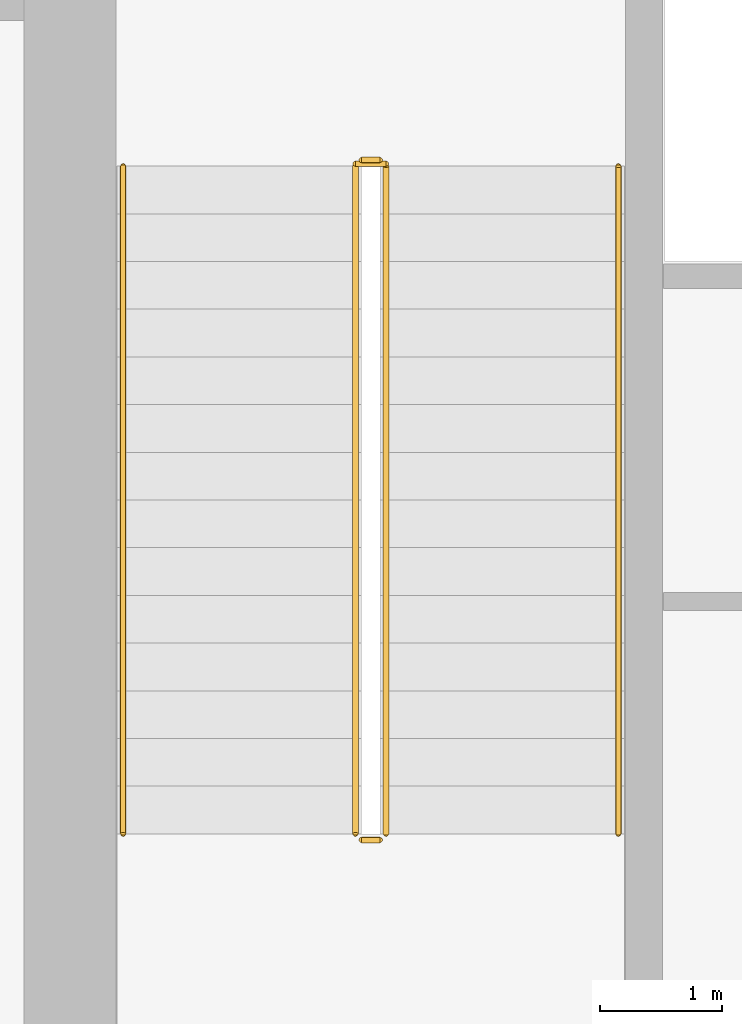
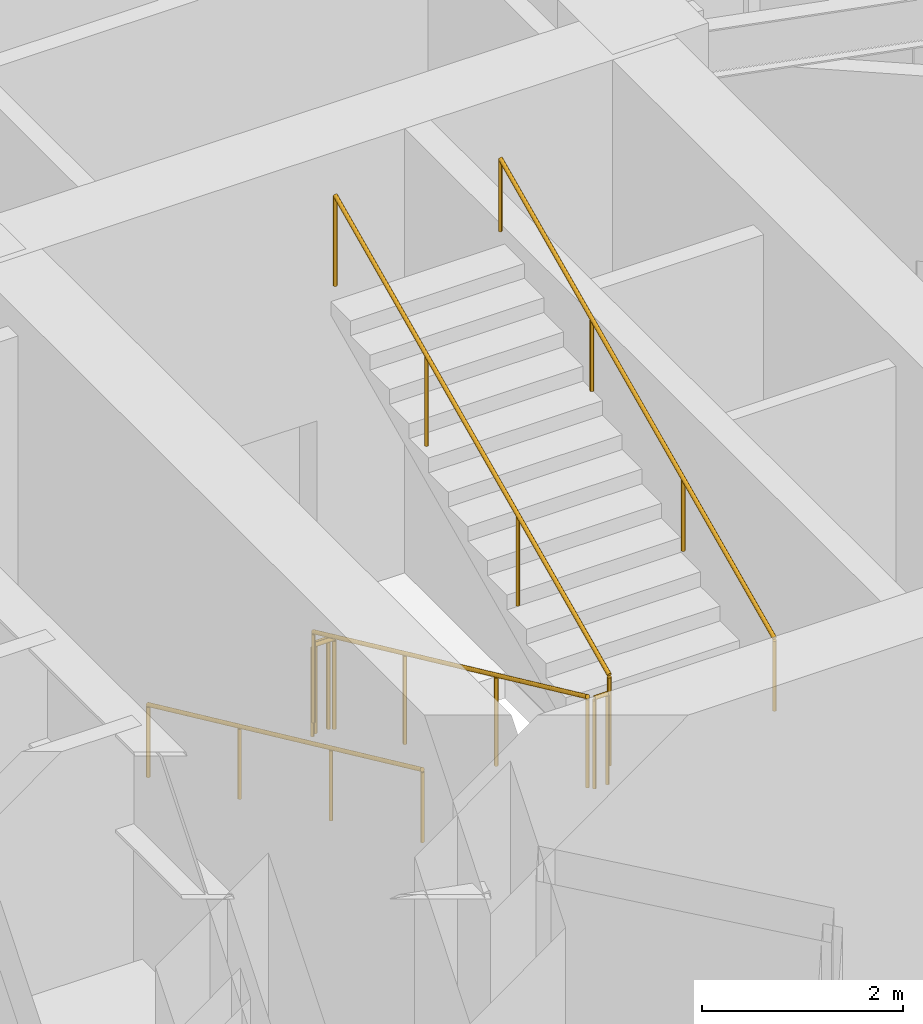
# One storey, part 10 of 13: 7 railings.
"""IFC4 building model written with IfcOpenShell, lengths in metres."""

import ifcopenshell
import ifcopenshell.guid

model = None  # the IFC model being written
_history = None  # IfcOwnerHistory: only IFC2X3 demands one
_inside = {}  # id of a spatial element -> (the spatial element, [elements in it])
_under = {}  # id of a project, library or spatial element -> (it, [spatial elements below it])
_declared = {}  # id of a project -> (the project, [libraries it declares])
_typed = {}  # id of a type object -> (the type object, [elements of that type])
_made_of = {}  # id of a material, layer set ... -> (it, [elements and type objects made of it])


def new_model(schema):
    """Start an empty IFC model of exactly this schema.

    Asked for "IFC4X3", IfcOpenShell would pick the latest addendum, in which some entities
    have other attributes; the version numbers below select the first issue.
    IFC2X3 requires an IfcOwnerHistory on every rooted entity: one is made here for all.
    """
    global model, _history
    if schema == "IFC4X3":
        model = ifcopenshell.file(schema_version=(4, 3, 0, 0))
    else:
        model = ifcopenshell.file(schema=schema)
    _inside.clear()
    _under.clear()
    _declared.clear()
    _typed.clear()
    _made_of.clear()
    _history = None
    if model.schema == "IFC2X3":
        org = make("IfcOrganization", Name="unknown")
        user = make(
            "IfcPersonAndOrganization",
            ThePerson=make("IfcPerson", FamilyName="unknown"),
            TheOrganization=org,
        )
        app = make(
            "IfcApplication",
            ApplicationDeveloper=org,
            Version="unknown",
            ApplicationFullName="unknown",
            ApplicationIdentifier="unknown",
        )
        _history = make(
            "IfcOwnerHistory",
            OwningUser=user,
            OwningApplication=app,
            ChangeAction="ADDED",
            CreationDate=0,
        )
    return model


def make(cls, **values):
    """One entity of the class cls with the attributes given. An attribute that is None is left unset."""
    return model.create_entity(
        cls, **{name: value for name, value in values.items() if value is not None}
    )


def rooted(cls, **values):
    """An entity with a GlobalId (a new one), such as an element, a storey or a relation."""
    return make(cls, GlobalId=ifcopenshell.guid.new(), OwnerHistory=_history, **values)


def si_unit(unit_type, name, prefix=None):
    """IfcSIUnit, for example si_unit("LENGTHUNIT", "METRE", prefix="MILLI")."""
    return make("IfcSIUnit", UnitType=unit_type, Prefix=prefix, Name=name)


def assignment(units):
    """IfcUnitAssignment: the units of a project."""
    return None if units is None else make("IfcUnitAssignment", Units=units)


def point(xyz):
    """IfcCartesianPoint."""
    return None if xyz is None else make("IfcCartesianPoint", Coordinates=xyz)


def direction(xyz):
    """IfcDirection."""
    return None if xyz is None else make("IfcDirection", DirectionRatios=xyz)


def frame(location, z_axis=None, x_axis=None):
    """IfcAxis2Placement3D, a coordinate frame: its origin and axes. An axis left out is left unset."""
    return make(
        "IfcAxis2Placement3D",
        Location=point(location),
        Axis=direction(z_axis),
        RefDirection=direction(x_axis),
    )


def frame_2d(location, x_axis=None):
    """IfcAxis2Placement2D, a coordinate frame in the plane: its origin and x axis."""
    return make(
        "IfcAxis2Placement2D", Location=point(location), RefDirection=direction(x_axis)
    )


def origin():
    """The frame at (0, 0, 0) with its axes left unset."""
    return frame((0.0, 0.0, 0.0))


def origin_2d():
    """The frame at (0, 0) in the plane with its x axis left unset."""
    return frame_2d((0.0, 0.0))


def place(relative_to, where):
    """IfcLocalPlacement: puts the frame where relative to a parent placement (None: the world)."""
    return make(
        "IfcLocalPlacement", PlacementRelTo=relative_to, RelativePlacement=where
    )


def context(
    kind, dimensions, precision=None, world=None, true_north=None, identifier=None
):
    """IfcGeometricRepresentationContext, for example the 3D "Model" context."""
    return make(
        "IfcGeometricRepresentationContext",
        ContextIdentifier=identifier,
        ContextType=kind,
        CoordinateSpaceDimension=dimensions,
        Precision=precision,
        WorldCoordinateSystem=world,
        TrueNorth=true_north,
    )


def subcontext(parent, identifier, kind, view, scale=None):
    """IfcGeometricRepresentationSubContext, for example "Body" below "Model"."""
    return make(
        "IfcGeometricRepresentationSubContext",
        ContextIdentifier=identifier,
        ContextType=kind,
        ParentContext=parent,
        TargetScale=scale,
        TargetView=view,
    )


def project(units=None, contexts=None):
    """IfcProject with its units and contexts."""
    return rooted(
        "IfcProject",
        Name="project",
        RepresentationContexts=contexts,
        UnitsInContext=assignment(units),
    )


def spatial(cls, under=None, at=None, **own):
    """A site, building, storey or space (cls), placed at a placement, below another one or the project."""
    s = rooted(cls, ObjectPlacement=at, **own)
    if under is not None:
        _under.setdefault(under.id(), (under, []))[1].append(s)
    return s


def profile(cls, at=None, kind="AREA", **sizes):
    """A parametric profile (cls). Its sizes go by their IFC names, for example OverallWidth=200.0."""
    return make(cls, ProfileType=kind, Position=at, **sizes)


def circle(**sizes):
    """IfcCircleProfileDef."""
    return profile("IfcCircleProfileDef", **sizes)


def extrude(swept, where, along, depth):
    """IfcExtrudedAreaSolid: the profile swept, set in the frame where, extruded along a direction by depth."""
    return make(
        "IfcExtrudedAreaSolid",
        SweptArea=swept,
        Position=where,
        ExtrudedDirection=direction(along),
        Depth=depth,
    )


def shape(context_of_items, identifier, shape_type, items):
    """IfcShapeRepresentation: the items that make up one representation, for example the "Body"."""
    return make(
        "IfcShapeRepresentation",
        ContextOfItems=context_of_items,
        RepresentationIdentifier=identifier,
        RepresentationType=shape_type,
        Items=items,
    )


def material(Name=None, Category=None):
    """IfcMaterial."""
    return make("IfcMaterial", Name=Name, Category=Category)


def layer(
    of_material, thickness, ventilated=None, Name=None, Category=None, Priority=None
):
    """IfcMaterialLayer: one layer of a wall or slab, of a material (None: an air gap)."""
    return make(
        "IfcMaterialLayer",
        Material=of_material,
        LayerThickness=thickness,
        IsVentilated=ventilated,
        Name=Name,
        Category=Category,
        Priority=Priority,
    )


def layer_set(layers, Name=None):
    """IfcMaterialLayerSet."""
    return make("IfcMaterialLayerSet", MaterialLayers=layers, LayerSetName=Name)


def made_of(thing, what):
    """Note that an element or type object is made of a material, layer set ...; save() writes the relation."""
    if what is not None:
        _made_of.setdefault(what.id(), (what, []))[1].append(thing)
    return thing


def type_object(cls, material=None, **own):
    """A type object (cls), such as IfcWallType, which elements share."""
    return made_of(rooted(cls, **own), material)


def element(
    cls,
    number,
    at=None,
    inside=None,
    cuts=None,
    type_object=None,
    material=None,
    context=None,
    identifier="Body",
    shape_type=None,
    held_by="IfcProductDefinitionShape",
    body=None,
    shapes=None,
    **own,
):
    """One element of the class cls, such as IfcWall. Its Tag is "e" and its number.

    at: its placement. inside: the storey or other place that contains it. cuts: it is an
    opening in that element (IfcRelVoidsElement). A single representation is given by context,
    identifier, shape_type and body (its items); several are given by shapes. held_by: the class
    of the entity that holds the representations. save() writes the other relations.
    """
    e = rooted(cls, Tag="e%d" % number, ObjectPlacement=at, **own)
    if body is not None:
        shapes = [shape(context, identifier, shape_type, body)]
    if shapes is not None:
        e.Representation = make(held_by, Representations=shapes)
    if inside is not None:
        _inside.setdefault(inside.id(), (inside, []))[1].append(e)
    if cuts is not None:
        rooted(
            "IfcRelVoidsElement", RelatingBuildingElement=cuts, RelatedOpeningElement=e
        )
    if type_object is not None:
        _typed.setdefault(type_object.id(), (type_object, []))[1].append(e)
    return made_of(e, material)


def aggregate(whole, parts):
    """IfcRelAggregates: a whole, such as a stair, and the parts it consists of."""
    return rooted("IfcRelAggregates", RelatingObject=whole, RelatedObjects=parts)


def save(model, path):
    """Write the relations noted so far, then the file.

    IfcRelAggregates (storeys below a building ...), IfcRelContainedInSpatialStructure (elements
    in a storey), IfcRelDefinesByType, IfcRelAssociatesMaterial and IfcRelDeclares: one each for
    every whole, place, type object, material and project.
    """
    for whole, parts in _under.values():
        aggregate(whole, parts)
    for where, things in _inside.values():
        rooted(
            "IfcRelContainedInSpatialStructure",
            RelatedElements=things,
            RelatingStructure=where,
        )
    for kind, things in _typed.values():
        rooted("IfcRelDefinesByType", RelatedObjects=things, RelatingType=kind)
    for what, things in _made_of.values():
        rooted("IfcRelAssociatesMaterial", RelatedObjects=things, RelatingMaterial=what)
    for by, libraries in _declared.values():
        rooted("IfcRelDeclares", RelatingContext=by, RelatedDefinitions=libraries)
    model.write(path)


model = new_model("IFC4")

# Units and contexts
model_context = context("Model", 3, precision=1e-05, world=origin(), true_north=direction((0.0, 1.0)))
body_context = subcontext(model_context, "Body", "Model", "MODEL_VIEW")
ifc_project = project(units=[si_unit("LENGTHUNIT", "METRE"), si_unit("AREAUNIT", "SQUARE_METRE"), si_unit("VOLUMEUNIT", "CUBIC_METRE"), si_unit("PLANEANGLEUNIT", "RADIAN"), si_unit("MASSUNIT", "GRAM", prefix="KILO")], contexts=[model_context])

# Site, building, storey
site_placement = place(None, origin())
site = spatial("IfcSite", under=ifc_project, at=site_placement, CompositionType="ELEMENT")
building_placement = place(site_placement, origin())
building = spatial("IfcBuilding", under=site, at=building_placement, Name="Hatsunagi Terrace Concourse", CompositionType="ELEMENT")
storey_placement = place(building_placement, origin())
storey = spatial("IfcBuildingStorey", under=building, at=storey_placement, Name="L01", CompositionType="ELEMENT", Elevation=0.0)

# Railings
ifc_material_1 = material(Name="Stainless steel", Category="steel")
ifc_layer_1 = layer(ifc_material_1, 0.044921875)
ifc_layer_set_1 = layer_set([ifc_layer_1], Name="StairPitchHandrail_Tower2000")
railing_type_1 = type_object("IfcRailingType", Name="StairPitchHandrail_Tower2000", PredefinedType="HANDRAIL", material=ifc_layer_set_1)
railing_1_placement = place(storey_placement, frame((36.550048828125, 32.659912109375, 0.179931640625)))
element("IfcRailing", 1, at=railing_1_placement, inside=storey, type_object=railing_type_1, Name="L01 ST-B stair handrail 1", PredefinedType="HANDRAIL", context=body_context, shape_type="SweptSolid", body=[
    extrude(circle(Radius=0.02392578125, at=origin_2d()), frame((0.0, 0.0, 0.8759765625), z_axis=(0.0, -0.907957007956, 0.419063326602), x_axis=(1.0, 0.0, 0.0)), (0.0, 0.0, 1.0), 6.013427734375),
    extrude(circle(Radius=0.02099609375, at=origin_2d()), origin(), (0.0, 0.0, 1.0), 0.851806640625),
    extrude(circle(Radius=0.02099609375, at=origin_2d()), frame((0.0, -1.820068359375, 0.840087890625)), (0.0, 0.0, 1.0), 0.851806640625),
    extrude(circle(Radius=0.02099609375, at=origin_2d()), frame((0.0, -3.639892578125, 1.679931640625)), (0.0, 0.0, 1.0), 0.851806640625),
    extrude(circle(Radius=0.02099609375, at=origin_2d()), frame((0.0, -5.4599609375, 2.52001953125)), (0.0, 0.0, 1.0), 0.851806640625),
])
railing_2_placement = place(storey_placement, frame((40.60009765625, 27.199951171875, 2.8798828125)))
element("IfcRailing", 2, at=railing_2_placement, inside=storey, type_object=railing_type_1, Name="L01 ST-B stair handrail 2", PredefinedType="HANDRAIL", context=body_context, shape_type="SweptSolid", body=[
    extrude(circle(Radius=0.02392578125, at=origin_2d()), frame((0.0, 0.0, 0.8759765625), z_axis=(0.0, 0.907957007956, 0.419063326602), x_axis=(-1.0, 0.0, 0.0)), (0.0, 0.0, 1.0), 6.013427734375),
    extrude(circle(Radius=0.02099609375, at=origin_2d()), origin(), (0.0, 0.0, 1.0), 0.851806640625),
    extrude(circle(Radius=0.02099609375, at=origin_2d()), frame((0.0, 1.820068359375, 0.840087890625)), (0.0, 0.0, 1.0), 0.851806640625),
    extrude(circle(Radius=0.02099609375, at=origin_2d()), frame((0.0, 3.639892578125, 1.679931640625)), (0.0, 0.0, 1.0), 0.851806640625),
    extrude(circle(Radius=0.02099609375, at=origin_2d()), frame((0.0, 5.4599609375, 2.52001953125)), (0.0, 0.0, 1.0), 0.851806640625),
])
ifc_material_2 = material(Name="Stainless steel", Category="steel")
ifc_layer_2 = layer(ifc_material_2, 0.06005859375)
ifc_layer_set_2 = layer_set([ifc_layer_2], Name="StairWellGuard_Tower2000")
railing_type_2 = type_object("IfcRailingType", Name="StairWellGuard_Tower2000", PredefinedType="BALUSTRADE", material=ifc_layer_set_2)
railing_3_placement = place(storey_placement, frame((38.449951171875, 32.659912109375, 0.179931640625)))
element("IfcRailing", 3, at=railing_3_placement, inside=storey, type_object=railing_type_2, Name="L01 ST-B stair guard 1", PredefinedType="BALUSTRADE", context=body_context, shape_type="SweptSolid", body=[
    extrude(circle(Radius=0.02392578125, at=origin_2d()), frame((0.0, 0.0, 1.09619140625), z_axis=(0.0, -0.907957007956, 0.419063326602), x_axis=(1.0, 0.0, 0.0)), (0.0, 0.0, 1.0), 6.013427734375),
    extrude(circle(Radius=0.02099609375, at=origin_2d()), origin(), (0.0, 0.0, 1.0), 1.072021484375),
    extrude(circle(Radius=0.02099609375, at=origin_2d()), frame((0.0, -1.820068359375, 0.840087890625)), (0.0, 0.0, 1.0), 1.072021484375),
    extrude(circle(Radius=0.02099609375, at=origin_2d()), frame((0.0, -3.639892578125, 1.679931640625)), (0.0, 0.0, 1.0), 1.072021484375),
    extrude(circle(Radius=0.02099609375, at=origin_2d()), frame((0.0, -5.4599609375, 2.52001953125)), (0.0, 0.0, 1.0), 1.072021484375),
])
railing_4_placement = place(storey_placement, frame((38.5, 27.14990234375, 2.699951171875)))
element("IfcRailing", 4, at=railing_4_placement, inside=storey, type_object=railing_type_2, Name="L01 ST-B stair guard 2", PredefinedType="BALUSTRADE", context=body_context, shape_type="SweptSolid", body=[
    extrude(circle(Radius=0.02392578125, at=origin_2d()), frame((0.0, 0.0, 1.09619140625), z_axis=(1.0, 0.0, 0.0), x_axis=(0.0, 1.0, 0.0)), (0.0, 0.0, 1.0), 0.14990234375),
    extrude(circle(Radius=0.02099609375, at=origin_2d()), origin(), (0.0, 0.0, 1.0), 1.072021484375),
    extrude(circle(Radius=0.02099609375, at=origin_2d()), frame((0.14990234375, 0.0, 0.0)), (0.0, 0.0, 1.0), 1.072021484375),
])
railing_5_placement = place(storey_placement, frame((38.699951171875, 27.199951171875, 2.8798828125)))
element("IfcRailing", 5, at=railing_5_placement, inside=storey, type_object=railing_type_2, Name="L01 ST-B stair guard 3", PredefinedType="BALUSTRADE", context=body_context, shape_type="SweptSolid", body=[
    extrude(circle(Radius=0.02392578125, at=origin_2d()), frame((0.0, 0.0, 1.09619140625), z_axis=(0.0, 0.907957007956, 0.419063326602), x_axis=(-1.0, 0.0, 0.0)), (0.0, 0.0, 1.0), 6.013427734375),
    extrude(circle(Radius=0.02099609375, at=origin_2d()), origin(), (0.0, 0.0, 1.0), 1.072021484375),
    extrude(circle(Radius=0.02099609375, at=origin_2d()), frame((0.0, 1.820068359375, 0.840087890625)), (0.0, 0.0, 1.0), 1.072021484375),
    extrude(circle(Radius=0.02099609375, at=origin_2d()), frame((0.0, 3.639892578125, 1.679931640625)), (0.0, 0.0, 1.0), 1.072021484375),
    extrude(circle(Radius=0.02099609375, at=origin_2d()), frame((0.0, 5.4599609375, 2.52001953125)), (0.0, 0.0, 1.0), 1.072021484375),
])
railing_6_placement = place(storey_placement, frame((38.5, 32.7099609375, 0.0)))
element("IfcRailing", 6, at=railing_6_placement, inside=storey, type_object=railing_type_2, Name="L01 ST-B stair guard 4", PredefinedType="BALUSTRADE", context=body_context, shape_type="SweptSolid", body=[
    extrude(circle(Radius=0.02392578125, at=origin_2d()), frame((0.0, 0.0, 1.09619140625), z_axis=(1.0, 0.0, 0.0), x_axis=(0.0, 1.0, 0.0)), (0.0, 0.0, 1.0), 0.14990234375),
    extrude(circle(Radius=0.02099609375, at=origin_2d()), origin(), (0.0, 0.0, 1.0), 1.072021484375),
    extrude(circle(Radius=0.02099609375, at=origin_2d()), frame((0.14990234375, 0.0, 0.0)), (0.0, 0.0, 1.0), 1.072021484375),
])
ifc_material_3 = material(Name="Stainless Steel SUS316 Post-and-Rail Guard", Category="steel")
ifc_layer_3 = layer(ifc_material_3, 0.080078125)
ifc_layer_set_3 = layer_set([ifc_layer_3], Name="TerracePlantedGuardRail_1200")
railing_type_3 = type_object("IfcRailingType", Name="TerracePlantedGuardRail_1200", PredefinedType="GUARDRAIL", material=ifc_layer_set_3)
railing_7_placement = place(storey_placement, frame((38.449951171875, 32.679931640625, 0.0)))
element("IfcRailing", 7, at=railing_7_placement, inside=storey, type_object=railing_type_3, Name="Stair ST-B Well Closure Guard L01", PredefinedType="GUARDRAIL", context=body_context, shape_type="SweptSolid", body=[
    extrude(circle(Radius=0.02392578125, at=origin_2d()), frame((0.0, 0.0, 1.09619140625), z_axis=(1.0, 0.0, 0.0), x_axis=(0.0, 1.0, 0.0)), (0.0, 0.0, 1.0), 0.25),
    extrude(circle(Radius=0.02099609375, at=origin_2d()), origin(), (0.0, 0.0, 1.0), 1.072021484375),
    extrude(circle(Radius=0.02099609375, at=origin_2d()), frame((0.25, 0.0, 0.0)), (0.0, 0.0, 1.0), 1.072021484375),
])

save(model, "model.ifc")
